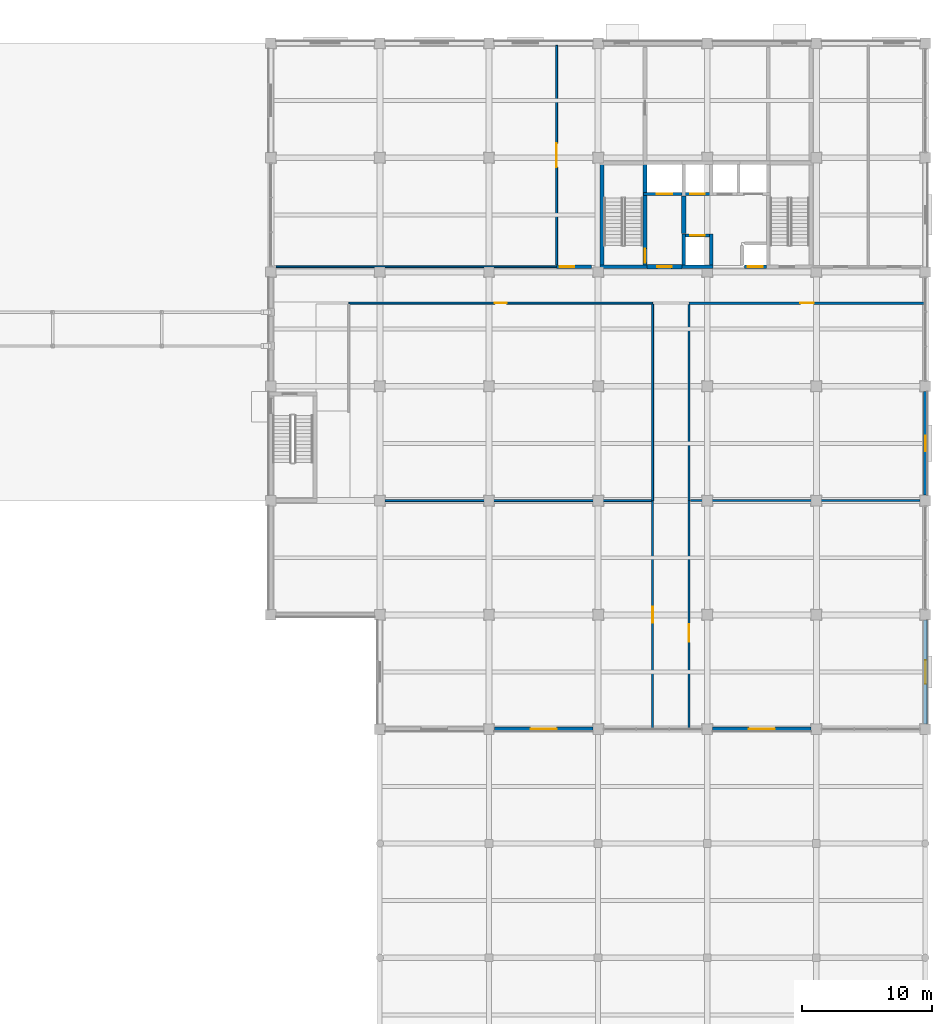
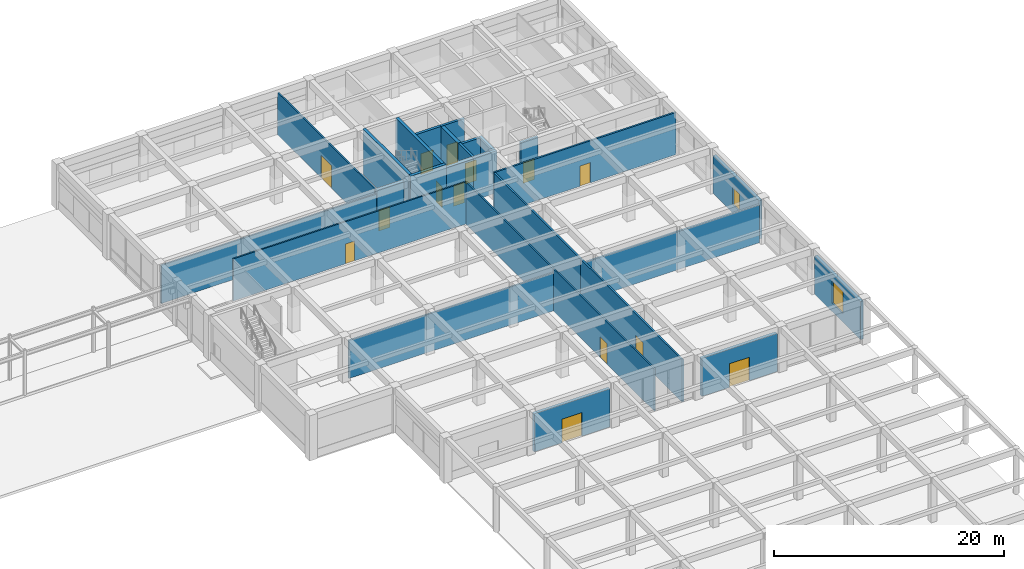
# One storey, part 38 of 58: 27 walls, 14 doors, 2 windows, 16 openings.
"""IFC4 building model written with IfcOpenShell, lengths in metres."""

from ifc_helpers import new_model, si_unit, direction, frame, frame_2d, origin, place, context, subcontext, project, spatial, rectangle, extrude, material, layer, layer_set, type_object, element, fill, save


model = new_model("IFC4")

# Units and contexts
model_context = context("Model", 3, precision=1e-05, world=origin(), true_north=direction((0.0, 1.0)))
body_context = subcontext(model_context, "Body", "Model", "MODEL_VIEW")
ifc_project = project(units=[si_unit("LENGTHUNIT", "METRE"), si_unit("AREAUNIT", "SQUARE_METRE"), si_unit("VOLUMEUNIT", "CUBIC_METRE"), si_unit("PLANEANGLEUNIT", "RADIAN"), si_unit("MASSUNIT", "GRAM", prefix="KILO")], contexts=[model_context])

# Site, building, storey
site_placement = place(None, origin())
site = spatial("IfcSite", under=ifc_project, at=site_placement, CompositionType="ELEMENT")
building_placement = place(site_placement, origin())
building = spatial("IfcBuilding", under=site, at=building_placement, Name="Kemercrest Conservatory and Botanical Centre", CompositionType="ELEMENT")
storey_placement = place(building_placement, origin())
storey = spatial("IfcBuildingStorey", under=building, at=storey_placement, Name="L00", CompositionType="ELEMENT", Elevation=0.0)

# Wall
ifc_material_1 = material(Name="Concrete C50/60", Category="concrete")
ifc_layer_1 = layer(ifc_material_1, 0.35009765625)
ifc_layer_set_1 = layer_set([ifc_layer_1], Name="Concrete C50/60")
wall_type_1 = type_object("IfcWallType", Name="CW-CORE", PredefinedType="SHEAR", material=ifc_layer_set_1)
wall_1_placement = place(storey_placement, frame((157.39990234375, 107.75, 0.0), z_axis=(0.0, 0.0, 1.0), x_axis=(0.0, 1.0, 0.0)))
element("IfcWall", 1, at=wall_1_placement, inside=storey, type_object=wall_type_1, Name="Firefighting lift lobby 2-hour separation shear wall", PredefinedType="SHEAR", context=body_context, shape_type="SweptSolid", body=[
    extrude(rectangle(XDim=2.89990234375, YDim=0.35009765625, at=frame_2d((1.449951171875, 0.0))), origin(), (0.0, 0.0, 1.0), 4.47998046875),
])

# Wall, opening, door
wall_2_placement = place(storey_placement, frame((154.550048828125, 105.199951171875, 0.0), z_axis=(0.0, 0.0, 1.0), x_axis=(1.0, 0.0, 0.0)))
wall_2 = element("IfcWall", 2, at=wall_2_placement, inside=storey, type_object=wall_type_1, Name="Firefighting lift lobby south shear wall", PredefinedType="SHEAR", context=body_context, shape_type="SweptSolid", body=[
    extrude(rectangle(XDim=2.699951171875, YDim=0.35009765625, at=frame_2d((1.35009765625, 0.0))), origin(), (0.0, 0.0, 1.0), 4.47998046875),
])
opening_1_placement = place(wall_2_placement, frame((0.800048828125, 0.0, 0.0)))
opening_1 = element("IfcOpeningElement", 3, at=opening_1_placement, cuts=wall_2, Name="Opening D069", PredefinedType="OPENING", context=body_context, shape_type="SweptSolid", body=[
    extrude(rectangle(XDim=1.10009765625, YDim=2.199951171875, at=frame_2d((0.550048828125, 1.10009765625))), frame((0.0, 0.18505859375, 0.0), z_axis=(0.0, -1.0, 0.0), x_axis=(1.0, 0.0, 0.0)), (0.0, 0.0, 1.0), 0.3701171875),
])
ifc_material_2 = material(Name="Powder-coated galvanized steel and fire-rated vision glass", Category="steel")
door_type_1 = type_object("IfcDoorType", Name="DT-FD90", OperationType="NOTDEFINED", PredefinedType="DOOR", material=ifc_material_2)
door_1_placement = place(opening_1_placement, origin())
door_1 = element("IfcDoor", 4, at=door_1_placement, inside=storey, type_object=door_type_1, Name="Firefighting lift lobby corridor fire door D069", OperationType="SINGLE_SWING_LEFT", OverallHeight=2.199951171875, OverallWidth=1.10009765625, PredefinedType="DOOR", context=body_context, shape_type="SweptSolid", body=[
    extrude(rectangle(XDim=1.10009765625, YDim=2.199951171875, at=frame_2d((0.550048828125, 1.10009765625))), frame((0.0, 0.02490234375, 0.0), z_axis=(0.0, -1.0, 0.0), x_axis=(1.0, 0.0, 0.0)), (0.0, 0.0, 1.0), 0.050048828125),
])
fill(opening_1, door_1)

# Walls
ifc_layer_2 = layer(ifc_material_1, 0.300048828125)
ifc_layer_set_2 = layer_set([ifc_layer_2], Name="Concrete C50/60")
wall_type_2 = type_object("IfcWallType", Name="CW-STAIR", PredefinedType="SHEAR", material=ifc_layer_set_2)
wall_3_placement = place(storey_placement, frame((150.949951171875, 105.199951171875, 0.0), z_axis=(0.0, 0.0, 1.0), x_axis=(1.0, 0.0, 0.0)))
element("IfcWall", 5, at=wall_3_placement, inside=storey, type_object=wall_type_2, Name="Stair core ST-V4A shear wall S", PredefinedType="SHEAR", context=body_context, shape_type="SweptSolid", body=[
    extrude(rectangle(XDim=3.60009765625, YDim=0.300048828125, at=frame_2d((1.800048828125, 0.0))), origin(), (0.0, 0.0, 1.0), 4.800048828125),
])
wall_4_placement = place(storey_placement, frame((151.10009765625, 105.050048828125, 0.0), z_axis=(0.0, 0.0, 1.0), x_axis=(0.0, 1.0, 0.0)))
element("IfcWall", 6, at=wall_4_placement, inside=storey, type_object=wall_type_2, Name="Stair core ST-V4A shear wall W", PredefinedType="SHEAR", context=body_context, shape_type="SweptSolid", body=[
    extrude(rectangle(XDim=8.300048828125, YDim=0.300048828125, at=frame_2d((4.14990234375, 0.0))), origin(), (0.0, 0.0, 1.0), 4.800048828125),
])

# Wall, opening, door
wall_5_placement = place(storey_placement, frame((154.39990234375, 105.050048828125, 0.0), z_axis=(0.0, 0.0, 1.0), x_axis=(0.0, 1.0, 0.0)))
wall_5 = element("IfcWall", 7, at=wall_5_placement, inside=storey, type_object=wall_type_2, Name="Stair core ST-V4A shear wall E", PredefinedType="SHEAR", context=body_context, shape_type="SweptSolid", body=[
    extrude(rectangle(XDim=8.300048828125, YDim=0.300048828125, at=frame_2d((4.14990234375, 0.0))), origin(), (0.0, 0.0, 1.0), 4.800048828125),
])
opening_2_placement = place(wall_5_placement, frame((0.449951171875, 0.0, 0.0)))
opening_2 = element("IfcOpeningElement", 8, at=opening_2_placement, cuts=wall_5, Name="Opening D026", PredefinedType="OPENING", context=body_context, shape_type="SweptSolid", body=[
    extrude(rectangle(XDim=1.10009765625, YDim=2.199951171875, at=frame_2d((0.550048828125, 1.10009765625))), frame((0.0, 0.16015625, 0.0), z_axis=(0.0, -1.0, 0.0), x_axis=(1.0, 0.0, 0.0)), (0.0, 0.0, 1.0), 0.320068359375),
])
door_2_placement = place(opening_2_placement, frame((1.10009765625, 0.0, 0.0), z_axis=(0.0, 0.0, 1.0), x_axis=(-1.0, 0.0, 0.0)))
door_2 = element("IfcDoor", 9, at=door_2_placement, inside=storey, type_object=door_type_1, Name="Exit stair ST-V4A fire door D026", OperationType="SINGLE_SWING_RIGHT", OverallHeight=2.199951171875, OverallWidth=1.10009765625, PredefinedType="DOOR", context=body_context, shape_type="SweptSolid", body=[
    extrude(rectangle(XDim=1.10009765625, YDim=2.199951171875, at=frame_2d((0.550048828125, 1.10009765625))), frame((0.0, 0.02490234375, 0.0), z_axis=(0.0, -1.0, 0.0), x_axis=(1.0, 0.0, 0.0)), (0.0, 0.0, 1.0), 0.050048828125),
])
fill(opening_2, door_2)

wall_6_placement = place(storey_placement, frame((147.60009765625, 105.199951171875, 0.0), z_axis=(0.0, 0.0, 1.0), x_axis=(1.0, 0.0, 0.0)))
wall_6 = element("IfcWall", 10, at=wall_6_placement, inside=storey, type_object=wall_type_2, Name="Protected exit passage A south fire wall", PredefinedType="SHEAR", context=body_context, shape_type="SweptSolid", body=[
    extrude(rectangle(XDim=2.699951171875, YDim=0.300048828125, at=frame_2d((1.35009765625, 0.0))), origin(), (0.0, 0.0, 1.0), 4.47998046875),
])
opening_3_placement = place(wall_6_placement, frame((0.25, 0.0, 0.0)))
opening_3 = element("IfcOpeningElement", 11, at=opening_3_placement, cuts=wall_6, Name="Opening D071", PredefinedType="OPENING", context=body_context, shape_type="SweptSolid", body=[
    extrude(rectangle(XDim=1.10009765625, YDim=2.199951171875, at=frame_2d((0.550048828125, 1.10009765625))), frame((0.0, 0.16015625, 0.0), z_axis=(0.0, -1.0, 0.0), x_axis=(1.0, 0.0, 0.0)), (0.0, 0.0, 1.0), 0.320068359375),
])
door_3_placement = place(opening_3_placement, origin())
door_3 = element("IfcDoor", 12, at=door_3_placement, inside=storey, type_object=door_type_1, Name="North Exit Passage A fire exit door D071", OperationType="SINGLE_SWING_RIGHT", OverallHeight=2.199951171875, OverallWidth=1.10009765625, PredefinedType="DOOR", context=body_context, shape_type="SweptSolid", body=[
    extrude(rectangle(XDim=1.10009765625, YDim=2.199951171875, at=frame_2d((0.550048828125, 1.10009765625))), frame((0.0, 0.02490234375, 0.0), z_axis=(0.0, -1.0, 0.0), x_axis=(1.0, 0.0, 0.0)), (0.0, 0.0, 1.0), 0.050048828125),
])
fill(opening_3, door_3)

ifc_material_3 = material(Name="Precast concrete C40/50", Category="concrete")
ifc_layer_3 = layer(ifc_material_3, 0.300048828125)
ifc_layer_set_3 = layer_set([ifc_layer_3], Name="Precast concrete C40/50")
wall_type_3 = type_object("IfcWallType", Name="W-EXT300", PredefinedType="SOLIDWALL", material=ifc_layer_set_3)
wall_7_placement = place(storey_placement, frame((142.81005859375, 69.60009765625, 0.0), z_axis=(0.0, 0.0, 1.0), x_axis=(1.0, 0.0, 0.0)))
wall_7 = element("IfcWall", 13, at=wall_7_placement, inside=storey, type_object=wall_type_3, Name="Exterior almasik wall W-EXT300 (WAL:L00:EXT-159)", PredefinedType="SOLIDWALL", context=body_context, shape_type="SweptSolid", body=[
    extrude(rectangle(XDim=7.579833984375, YDim=0.300048828125, at=frame_2d((3.7900390625, 0.0))), origin(), (0.0, 0.0, 1.0), 4.050048828125),
])
opening_4_placement = place(wall_7_placement, frame((2.7900390625, 0.0, 0.0)))
opening_4 = element("IfcOpeningElement", 14, at=opening_4_placement, cuts=wall_7, Name="Opening ED034", PredefinedType="OPENING", context=body_context, shape_type="SweptSolid", body=[
    extrude(rectangle(XDim=2.0, YDim=2.5, at=frame_2d((1.0, 1.25))), frame((0.0, 0.16015625, 0.0), z_axis=(0.0, -1.0, 0.0), x_axis=(1.0, 0.0, 0.0)), (0.0, 0.0, 1.0), 0.320068359375),
])
ifc_material_4 = material(Name="Thermally broken bronze-anodized aluminium and laminated safety glass", Category="aluminium")
door_type_2 = type_object("IfcDoorType", Name="DT-E01", OperationType="DOUBLE_DOOR_SINGLE_SWING", PredefinedType="DOOR", material=ifc_material_4)
door_4_placement = place(opening_4_placement, frame((2.0, 0.0, 0.0), z_axis=(0.0, 0.0, 1.0), x_axis=(-1.0, 0.0, 0.0)))
door_4 = element("IfcDoor", 15, at=door_4_placement, inside=storey, type_object=door_type_2, Name="Research and Herbarium Tower South Harbour Entrance", OperationType="DOUBLE_DOOR_SINGLE_SWING", OverallHeight=2.5, OverallWidth=2.0, PredefinedType="DOOR", context=body_context, shape_type="SweptSolid", body=[
    extrude(rectangle(XDim=2.0, YDim=2.5, at=frame_2d((1.0, 1.25))), frame((0.0, 0.02490234375, 0.0), z_axis=(0.0, -1.0, 0.0), x_axis=(1.0, 0.0, 0.0)), (0.0, 0.0, 1.0), 0.050048828125),
])
fill(opening_4, door_4)

wall_8_placement = place(storey_placement, frame((159.610107421875, 69.60009765625, 0.0), z_axis=(0.0, 0.0, 1.0), x_axis=(1.0, 0.0, 0.0)))
wall_8 = element("IfcWall", 16, at=wall_8_placement, inside=storey, type_object=wall_type_3, Name="Exterior almasik wall W-EXT300 (WAL:L00:EXT-160)", PredefinedType="SOLIDWALL", context=body_context, shape_type="SweptSolid", body=[
    extrude(rectangle(XDim=7.579833984375, YDim=0.300048828125, at=frame_2d((3.7900390625, 0.0))), origin(), (0.0, 0.0, 1.0), 4.050048828125),
])
opening_5_placement = place(wall_8_placement, frame((2.7900390625, 0.0, 0.0)))
opening_5 = element("IfcOpeningElement", 17, at=opening_5_placement, cuts=wall_8, Name="Opening ED035", PredefinedType="OPENING", context=body_context, shape_type="SweptSolid", body=[
    extrude(rectangle(XDim=2.0, YDim=2.5, at=frame_2d((1.0, 1.25))), frame((0.0, 0.16015625, 0.0), z_axis=(0.0, -1.0, 0.0), x_axis=(1.0, 0.0, 0.0)), (0.0, 0.0, 1.0), 0.320068359375),
])
door_5_placement = place(opening_5_placement, frame((2.0, 0.0, 0.0), z_axis=(0.0, 0.0, 1.0), x_axis=(-1.0, 0.0, 0.0)))
door_5 = element("IfcDoor", 18, at=door_5_placement, inside=storey, type_object=door_type_2, Name="Research and Herbarium Tower South Harbour Entrance", OperationType="DOUBLE_DOOR_SINGLE_SWING", OverallHeight=2.5, OverallWidth=2.0, PredefinedType="DOOR", context=body_context, shape_type="SweptSolid", body=[
    extrude(rectangle(XDim=2.0, YDim=2.5, at=frame_2d((1.0, 1.25))), frame((0.0, 0.02490234375, 0.0), z_axis=(0.0, -1.0, 0.0), x_axis=(1.0, 0.0, 0.0)), (0.0, 0.0, 1.0), 0.050048828125),
])
fill(opening_5, door_5)

# Wall, opening, window
wall_9_placement = place(storey_placement, frame((176.0, 70.010009765625, 0.0), z_axis=(0.0, 0.0, 1.0), x_axis=(0.0, 1.0, 0.0)))
wall_9 = element("IfcWall", 19, at=wall_9_placement, inside=storey, type_object=wall_type_3, Name="Exterior almasik wall W-EXT300 (WAL:L00:EXT-161)", PredefinedType="SOLIDWALL", context=body_context, shape_type="SweptSolid", body=[
    extrude(rectangle(XDim=7.97998046875, YDim=0.300048828125, at=frame_2d((3.989990234375, 0.0))), origin(), (0.0, 0.0, 1.0), 4.050048828125),
])
opening_6_placement = place(wall_9_placement, frame((3.070068359375, 0.0, 0.89990234375)))
opening_6 = element("IfcOpeningElement", 20, at=opening_6_placement, cuts=wall_9, Name="Opening WT-60", PredefinedType="OPENING", context=body_context, shape_type="SweptSolid", body=[
    extrude(rectangle(XDim=1.840087890625, YDim=2.340087890625, at=frame_2d((0.919921875, 1.169921875))), frame((0.0, 0.16015625, 0.0), z_axis=(0.0, -1.0, 0.0), x_axis=(1.0, 0.0, 0.0)), (0.0, 0.0, 1.0), 0.320068359375),
])
ifc_material_5 = material(Name="Thermally broken bronze-anodized aluminium and triple glazing", Category="aluminium")
window_type_1 = type_object("IfcWindowType", Name="WT-60", PartitioningType="SINGLE_PANEL", PredefinedType="WINDOW", material=ifc_material_5)
window_1_placement = place(opening_6_placement, origin())
window_1 = element("IfcWindow", 21, at=window_1_placement, inside=storey, type_object=window_type_1, Name="Exterior window WT-60 (WIN:L00:EXT-161)", OverallHeight=2.340087890625, OverallWidth=1.840087890625, PartitioningType="SINGLE_PANEL", PredefinedType="WINDOW", context=body_context, shape_type="SweptSolid", body=[
    extrude(rectangle(XDim=1.840087890625, YDim=2.340087890625, at=frame_2d((0.919921875, 1.169921875))), frame((0.0, 0.030029296875, 0.0), z_axis=(0.0, -1.0, 0.0), x_axis=(1.0, 0.0, 0.0)), (0.0, 0.0, 1.0), 0.06005859375),
])
fill(opening_6, window_1)

wall_10_placement = place(storey_placement, frame((176.0, 87.610107421875, 0.0), z_axis=(0.0, 0.0, 1.0), x_axis=(0.0, 1.0, 0.0)))
wall_10 = element("IfcWall", 22, at=wall_10_placement, inside=storey, type_object=wall_type_3, Name="Exterior almasik wall W-EXT300 (WAL:L00:EXT-162)", PredefinedType="SOLIDWALL", context=body_context, shape_type="SweptSolid", body=[
    extrude(rectangle(XDim=7.97998046875, YDim=0.300048828125, at=frame_2d((3.989990234375, 0.0))), origin(), (0.0, 0.0, 1.0), 4.050048828125),
])
opening_7_placement = place(wall_10_placement, frame((3.389892578125, 0.0, 0.89990234375)))
opening_7 = element("IfcOpeningElement", 23, at=opening_7_placement, cuts=wall_10, Name="Opening WT-01", PredefinedType="OPENING", context=body_context, shape_type="SweptSolid", body=[
    extrude(rectangle(XDim=1.199951171875, YDim=1.800048828125, at=frame_2d((0.60009765625, 0.89990234375))), frame((0.0, 0.16015625, 0.0), z_axis=(0.0, -1.0, 0.0), x_axis=(1.0, 0.0, 0.0)), (0.0, 0.0, 1.0), 0.320068359375),
])
window_type_2 = type_object("IfcWindowType", Name="WT-01", PartitioningType="SINGLE_PANEL", PredefinedType="WINDOW", material=ifc_material_5)
window_2_placement = place(opening_7_placement, origin())
window_2 = element("IfcWindow", 24, at=window_2_placement, inside=storey, type_object=window_type_2, Name="Exterior window WT-01 (WIN:L00:EXT-162)", OverallHeight=1.800048828125, OverallWidth=1.199951171875, PartitioningType="SINGLE_PANEL", PredefinedType="WINDOW", context=body_context, shape_type="SweptSolid", body=[
    extrude(rectangle(XDim=1.199951171875, YDim=1.800048828125, at=frame_2d((0.60009765625, 0.89990234375))), frame((0.0, 0.030029296875, 0.0), z_axis=(0.0, -1.0, 0.0), x_axis=(1.0, 0.0, 0.0)), (0.0, 0.0, 1.0), 0.06005859375),
])
fill(opening_7, window_2)

# Wall, opening, door
ifc_material_6 = material(Name="Steel-stud gypsum board partition", Category="steel")
ifc_layer_4 = layer(ifc_material_6, 0.14990234375)
ifc_layer_set_4 = layer_set([ifc_layer_4], Name="Steel-stud gypsum board partition")
wall_type_4 = type_object("IfcWallType", Name="W-PART150", PredefinedType="PARTITIONING", material=ifc_layer_set_4)
wall_11_placement = place(storey_placement, frame((147.60009765625, 105.35498046875, 0.0), z_axis=(0.0, 0.0, 1.0), x_axis=(0.0, 1.0, 0.0)))
wall_11 = element("IfcWall", 25, at=wall_11_placement, inside=storey, type_object=wall_type_4, Name="Interior partition W-PART150 #36", PredefinedType="PARTITIONING", context=body_context, shape_type="SweptSolid", body=[
    extrude(rectangle(XDim=16.89013671875, YDim=0.14990234375, at=frame_2d((8.445068359375, 0.0))), origin(), (0.0, 0.0, 1.0), 4.465087890625),
])
opening_8_placement = place(wall_11_placement, frame((7.52490234375, 0.0, 0.0)))
opening_8 = element("IfcOpeningElement", 26, at=opening_8_placement, cuts=wall_11, Name="Opening D131", PredefinedType="OPENING", context=body_context, shape_type="SweptSolid", body=[
    extrude(rectangle(XDim=1.840087890625, YDim=2.3798828125, at=frame_2d((0.919921875, 1.18994140625))), frame((0.0, 0.0849609375, 0.0), z_axis=(0.0, -1.0, 0.0), x_axis=(1.0, 0.0, 0.0)), (0.0, 0.0, 1.0), 0.169921875),
])
ifc_material_7 = material(Name="FSC solid-core white oak veneer and anodized aluminium frame", Category="aluminium")
door_type_3 = type_object("IfcDoorType", Name="DT-44", OperationType="DOUBLE_DOOR_SINGLE_SWING", PredefinedType="DOOR", material=ifc_material_7)
door_6_placement = place(opening_8_placement, origin())
door_6 = element("IfcDoor", 27, at=door_6_placement, inside=storey, type_object=door_type_3, Name="Taxonomy Curatorial Office door D131", OperationType="DOUBLE_DOOR_SINGLE_SWING", OverallHeight=2.3798828125, OverallWidth=1.840087890625, PredefinedType="DOOR", context=body_context, shape_type="SweptSolid", body=[
    extrude(rectangle(XDim=1.840087890625, YDim=2.3798828125, at=frame_2d((0.919921875, 1.18994140625))), frame((0.0, 0.02490234375, 0.0), z_axis=(0.0, -1.0, 0.0), x_axis=(1.0, 0.0, 0.0)), (0.0, 0.0, 1.0), 0.050048828125),
])
fill(opening_8, door_6)

wall_12_placement = place(storey_placement, frame((131.60009765625, 102.39990234375, 0.0), z_axis=(0.0, 0.0, 1.0), x_axis=(1.0, 0.0, 0.0)))
wall_12 = element("IfcWall", 28, at=wall_12_placement, inside=storey, type_object=wall_type_4, Name="Interior partition W-PART150 #37", PredefinedType="PARTITIONING", context=body_context, shape_type="SweptSolid", body=[
    extrude(rectangle(XDim=23.39990234375, YDim=0.14990234375, at=frame_2d((11.699951171875, 0.0))), origin(), (0.0, 0.0, 1.0), 4.465087890625),
])
opening_9_placement = place(wall_12_placement, frame((11.239990234375, 0.0, 0.0)))
opening_9 = element("IfcOpeningElement", 29, at=opening_9_placement, cuts=wall_12, Name="Opening D132", PredefinedType="OPENING", context=body_context, shape_type="SweptSolid", body=[
    extrude(rectangle(XDim=0.919921875, YDim=2.10009765625, at=frame_2d((0.4599609375, 1.050048828125))), frame((0.0, 0.0849609375, 0.0), z_axis=(0.0, -1.0, 0.0), x_axis=(1.0, 0.0, 0.0)), (0.0, 0.0, 1.0), 0.169921875),
])
door_type_4 = type_object("IfcDoorType", Name="DT-01", OperationType="NOTDEFINED", PredefinedType="DOOR", material=ifc_material_7)
door_7_placement = place(opening_9_placement, origin())
door_7 = element("IfcDoor", 30, at=door_7_placement, inside=storey, type_object=door_type_4, Name="Botanical Specimen Intake Studio door D132", OperationType="SINGLE_SWING_RIGHT", OverallHeight=2.10009765625, OverallWidth=0.919921875, PredefinedType="DOOR", context=body_context, shape_type="SweptSolid", body=[
    extrude(rectangle(XDim=0.919921875, YDim=2.10009765625, at=frame_2d((0.4599609375, 1.050048828125))), frame((0.0, 0.02490234375, 0.0), z_axis=(0.0, -1.0, 0.0), x_axis=(1.0, 0.0, 0.0)), (0.0, 0.0, 1.0), 0.050048828125),
])
fill(opening_9, door_7)

# Wall
wall_13_placement = place(storey_placement, frame((126.0, 105.199951171875, 0.0), z_axis=(0.0, 0.0, 1.0), x_axis=(1.0, 0.0, 0.0)))
element("IfcWall", 31, at=wall_13_placement, inside=storey, type_object=wall_type_4, Name="Interior partition W-PART150 #39", PredefinedType="PARTITIONING", context=body_context, shape_type="SweptSolid", body=[
    extrude(rectangle(XDim=21.60009765625, YDim=0.14990234375, at=frame_2d((10.800048828125, 0.0))), origin(), (0.0, 0.0, 1.0), 4.044921875),
])

# Wall, opening, door
wall_14_placement = place(storey_placement, frame((155.0, 69.60009765625, 0.0), z_axis=(0.0, 0.0, 1.0), x_axis=(0.0, 1.0, 0.0)))
wall_14 = element("IfcWall", 32, at=wall_14_placement, inside=storey, type_object=wall_type_4, Name="Interior partition W-PART150 #43", PredefinedType="PARTITIONING", context=body_context, shape_type="SweptSolid", body=[
    extrude(rectangle(XDim=17.599853515625, YDim=0.14990234375, at=frame_2d((8.7998046875, 0.0))), origin(), (0.0, 0.0, 1.0), 4.465087890625),
])
opening_10_placement = place(wall_14_placement, frame((8.18994140625, 0.0, 0.0)))
opening_10 = element("IfcOpeningElement", 33, at=opening_10_placement, cuts=wall_14, Name="Opening D136", PredefinedType="OPENING", context=body_context, shape_type="SweptSolid", body=[
    extrude(rectangle(XDim=1.219970703125, YDim=2.199951171875, at=frame_2d((0.60986328125, 1.10009765625))), frame((0.0, 0.0849609375, 0.0), z_axis=(0.0, -1.0, 0.0), x_axis=(1.0, 0.0, 0.0)), (0.0, 0.0, 1.0), 0.169921875),
])
door_type_5 = type_object("IfcDoorType", Name="DT-06", OperationType="NOTDEFINED", PredefinedType="DOOR", material=ifc_material_7)
door_8_placement = place(opening_10_placement, origin())
door_8 = element("IfcDoor", 34, at=door_8_placement, inside=storey, type_object=door_type_5, Name="Tower Entrance Hall door D136", OperationType="SINGLE_SWING_RIGHT", OverallHeight=2.199951171875, OverallWidth=1.219970703125, PredefinedType="DOOR", context=body_context, shape_type="SweptSolid", body=[
    extrude(rectangle(XDim=1.219970703125, YDim=2.199951171875, at=frame_2d((0.60986328125, 1.10009765625))), frame((0.0, 0.02490234375, 0.0), z_axis=(0.0, -1.0, 0.0), x_axis=(1.0, 0.0, 0.0)), (0.0, 0.0, 1.0), 0.050048828125),
])
fill(opening_10, door_8)

# Walls
wall_15_placement = place(storey_placement, frame((155.0, 87.199951171875, 0.0), z_axis=(0.0, 0.0, 1.0), x_axis=(0.0, 1.0, 0.0)))
element("IfcWall", 35, at=wall_15_placement, inside=storey, type_object=wall_type_4, Name="Interior partition W-PART150 #45", PredefinedType="PARTITIONING", context=body_context, shape_type="SweptSolid", body=[
    extrude(rectangle(XDim=15.1201171875, YDim=0.14990234375, at=frame_2d((7.56005859375, 0.0))), origin(), (0.0, 0.0, 1.0), 4.465087890625),
])
wall_16_placement = place(storey_placement, frame((134.39990234375, 87.199951171875, 0.0), z_axis=(0.0, 0.0, 1.0), x_axis=(1.0, 0.0, 0.0)))
element("IfcWall", 36, at=wall_16_placement, inside=storey, type_object=wall_type_4, Name="Interior partition W-PART150 #58", PredefinedType="PARTITIONING", context=body_context, shape_type="SweptSolid", body=[
    extrude(rectangle(XDim=20.52001953125, YDim=0.14990234375, at=frame_2d((10.260009765625, 0.0))), origin(), (0.0, 0.0, 1.0), 4.044921875),
])

# Wall, opening, door
ifc_material_8 = material(Name="Acoustic steel-stud gypsum board assembly", Category="steel")
ifc_layer_5 = layer(ifc_material_8, 0.179931640625)
ifc_layer_set_5 = layer_set([ifc_layer_5], Name="Acoustic steel-stud gypsum board assembly")
wall_type_5 = type_object("IfcWallType", Name="W-PART180", PredefinedType="PARTITIONING", material=ifc_layer_set_5)
wall_17_placement = place(storey_placement, frame((157.800048828125, 102.39990234375, 0.0), z_axis=(0.0, 0.0, 1.0), x_axis=(1.0, 0.0, 0.0)))
wall_17 = element("IfcWall", 37, at=wall_17_placement, inside=storey, type_object=wall_type_5, Name="Interior partition W-PART180 #38", PredefinedType="PARTITIONING", context=body_context, shape_type="SweptSolid", body=[
    extrude(rectangle(XDim=18.199951171875, YDim=0.179931640625, at=frame_2d((9.10009765625, 0.0))), origin(), (0.0, 0.0, 1.0), 4.465087890625),
])
opening_11_placement = place(wall_17_placement, frame((8.580078125, 0.0, 0.0)))
opening_11 = element("IfcOpeningElement", 38, at=opening_11_placement, cuts=wall_17, Name="Opening D133", PredefinedType="OPENING", context=body_context, shape_type="SweptSolid", body=[
    extrude(rectangle(XDim=1.0400390625, YDim=2.14990234375, at=frame_2d((0.52001953125, 1.074951171875))), frame((0.0, 0.10009765625, 0.0), z_axis=(0.0, -1.0, 0.0), x_axis=(1.0, 0.0, 0.0)), (0.0, 0.0, 1.0), 0.199951171875),
])
door_type_6 = type_object("IfcDoorType", Name="DT-03", OperationType="NOTDEFINED", PredefinedType="DOOR", material=ifc_material_7)
door_9_placement = place(opening_11_placement, origin())
door_9 = element("IfcDoor", 39, at=door_9_placement, inside=storey, type_object=door_type_6, Name="Wet Botanical Research Laboratory door D133", OperationType="SINGLE_SWING_LEFT", OverallHeight=2.14990234375, OverallWidth=1.0400390625, PredefinedType="DOOR", context=body_context, shape_type="SweptSolid", body=[
    extrude(rectangle(XDim=1.0400390625, YDim=2.14990234375, at=frame_2d((0.52001953125, 1.074951171875))), frame((0.0, 0.02490234375, 0.0), z_axis=(0.0, -1.0, 0.0), x_axis=(1.0, 0.0, 0.0)), (0.0, 0.0, 1.0), 0.050048828125),
])
fill(opening_11, door_9)

wall_18_placement = place(storey_placement, frame((157.800048828125, 69.60009765625, 0.0), z_axis=(0.0, 0.0, 1.0), x_axis=(0.0, 1.0, 0.0)))
wall_18 = element("IfcWall", 40, at=wall_18_placement, inside=storey, type_object=wall_type_5, Name="Interior partition W-PART180 #44", PredefinedType="PARTITIONING", context=body_context, shape_type="SweptSolid", body=[
    extrude(rectangle(XDim=17.599853515625, YDim=0.179931640625, at=frame_2d((8.7998046875, 0.0))), origin(), (0.0, 0.0, 1.0), 4.465087890625),
])
opening_12_placement = place(wall_18_placement, frame((6.739990234375, 0.0, 0.0)))
opening_12 = element("IfcOpeningElement", 41, at=opening_12_placement, cuts=wall_18, Name="Opening D137", PredefinedType="OPENING", context=body_context, shape_type="SweptSolid", body=[
    extrude(rectangle(XDim=1.320068359375, YDim=2.199951171875, at=frame_2d((0.66015625, 1.10009765625))), frame((0.0, 0.10009765625, 0.0), z_axis=(0.0, -1.0, 0.0), x_axis=(1.0, 0.0, 0.0)), (0.0, 0.0, 1.0), 0.199951171875),
])
door_type_7 = type_object("IfcDoorType", Name="DT-15", OperationType="SLIDING_TO_LEFT", PredefinedType="DOOR", material=ifc_material_7)
door_10_placement = place(opening_12_placement, origin())
door_10 = element("IfcDoor", 42, at=door_10_placement, inside=storey, type_object=door_type_7, Name="Herbarium Receiving and Quarantine Laboratory door D137", OperationType="SLIDING_TO_LEFT", OverallHeight=2.199951171875, OverallWidth=1.320068359375, PredefinedType="DOOR", context=body_context, shape_type="SweptSolid", body=[
    extrude(rectangle(XDim=1.320068359375, YDim=2.199951171875, at=frame_2d((0.66015625, 1.10009765625))), frame((0.0, 0.02490234375, 0.0), z_axis=(0.0, -1.0, 0.0), x_axis=(1.0, 0.0, 0.0)), (0.0, 0.0, 1.0), 0.050048828125),
])
fill(opening_12, door_10)

# Walls
wall_19_placement = place(storey_placement, frame((157.800048828125, 87.199951171875, 0.0), z_axis=(0.0, 0.0, 1.0), x_axis=(0.0, 1.0, 0.0)))
element("IfcWall", 43, at=wall_19_placement, inside=storey, type_object=wall_type_5, Name="Interior partition W-PART180 #46", PredefinedType="PARTITIONING", context=body_context, shape_type="SweptSolid", body=[
    extrude(rectangle(XDim=15.10498046875, YDim=0.179931640625, at=frame_2d((7.552490234375, 0.0))), origin(), (0.0, 0.0, 1.0), 4.465087890625),
])
wall_20_placement = place(storey_placement, frame((157.89501953125, 87.199951171875, 0.0), z_axis=(0.0, 0.0, 1.0), x_axis=(1.0, 0.0, 0.0)))
element("IfcWall", 44, at=wall_20_placement, inside=storey, type_object=wall_type_5, Name="Interior partition W-PART180 #59", PredefinedType="PARTITIONING", context=body_context, shape_type="SweptSolid", body=[
    extrude(rectangle(XDim=17.705078125, YDim=0.179931640625, at=frame_2d((8.8525390625, 0.0))), origin(), (0.0, 0.0, 1.0), 4.044921875),
])

# Wall, opening, door
ifc_material_9 = material(Name="Concrete C40/50", Category="concrete")
ifc_layer_6 = layer(ifc_material_9, 0.25)
ifc_layer_set_6 = layer_set([ifc_layer_6], Name="Concrete C40/50")
wall_type_6 = type_object("IfcWallType", Name="W-SHFT250", PredefinedType="SOLIDWALL", material=ifc_layer_set_6)
wall_21_placement = place(storey_placement, frame((154.27490234375, 110.800048828125, 0.0), z_axis=(0.0, 0.0, 1.0), x_axis=(1.0, 0.0, 0.0)))
wall_21 = element("IfcWall", 45, at=wall_21_placement, inside=storey, type_object=wall_type_6, Name="Elevator LF-FF1 shaft wall south", PredefinedType="SOLIDWALL", context=body_context, shape_type="SweptSolid", body=[
    extrude(rectangle(XDim=3.25, YDim=0.25, at=frame_2d((1.625, 0.0))), origin(), (0.0, 0.0, 1.0), 4.47998046875),
])
opening_13_placement = place(wall_21_placement, frame((1.02490234375, 0.0, 0.0)))
opening_13 = element("IfcOpeningElement", 46, at=opening_13_placement, cuts=wall_21, Name="Opening LD-002", PredefinedType="OPENING", context=body_context, shape_type="SweptSolid", body=[
    extrude(rectangle(XDim=1.199951171875, YDim=2.199951171875, at=frame_2d((0.60009765625, 1.10009765625))), frame((0.0, 0.135009765625, 0.0), z_axis=(0.0, -1.0, 0.0), x_axis=(1.0, 0.0, 0.0)), (0.0, 0.0, 1.0), 0.27001953125),
])
door_type_8 = type_object("IfcDoorType", Name="DT-LD02", OperationType="SLIDING_TO_LEFT", PredefinedType="DOOR", material=ifc_material_2)
door_11_placement = place(opening_13_placement, origin())
door_11 = element("IfcDoor", 47, at=door_11_placement, inside=storey, type_object=door_type_8, Name="Elevator LF-FF1 sliding landing door LD-002", OperationType="SLIDING_TO_LEFT", OverallHeight=2.199951171875, OverallWidth=1.199951171875, PredefinedType="DOOR", context=body_context, shape_type="SweptSolid", body=[
    extrude(rectangle(XDim=1.199951171875, YDim=2.199951171875, at=frame_2d((0.60009765625, 1.10009765625))), frame((0.0, 0.02490234375, 0.0), z_axis=(0.0, -1.0, 0.0), x_axis=(1.0, 0.0, 0.0)), (0.0, 0.0, 1.0), 0.050048828125),
])
fill(opening_13, door_11)

wall_22_placement = place(storey_placement, frame((157.27490234375, 110.800048828125, 0.0), z_axis=(0.0, 0.0, 1.0), x_axis=(1.0, 0.0, 0.0)))
wall_22 = element("IfcWall", 48, at=wall_22_placement, inside=storey, type_object=wall_type_6, Name="Elevator LF-P1 shaft wall south", PredefinedType="SOLIDWALL", context=body_context, shape_type="SweptSolid", body=[
    extrude(rectangle(XDim=2.35009765625, YDim=0.25, at=frame_2d((1.175048828125, 0.0))), origin(), (0.0, 0.0, 1.0), 4.47998046875),
])
opening_14_placement = place(wall_22_placement, frame((0.625, 0.0, 0.0)))
opening_14 = element("IfcOpeningElement", 49, at=opening_14_placement, cuts=wall_22, Name="Opening LD-021", PredefinedType="OPENING", context=body_context, shape_type="SweptSolid", body=[
    extrude(rectangle(XDim=1.10009765625, YDim=2.199951171875, at=frame_2d((0.550048828125, 1.10009765625))), frame((0.0, 0.135009765625, 0.0), z_axis=(0.0, -1.0, 0.0), x_axis=(1.0, 0.0, 0.0)), (0.0, 0.0, 1.0), 0.27001953125),
])
door_type_9 = type_object("IfcDoorType", Name="DT-LD01", OperationType="SLIDING_TO_LEFT", PredefinedType="DOOR", material=ifc_material_2)
door_12_placement = place(opening_14_placement, origin())
door_12 = element("IfcDoor", 50, at=door_12_placement, inside=storey, type_object=door_type_9, Name="Elevator LF-P1 sliding landing door LD-021", OperationType="SLIDING_TO_LEFT", OverallHeight=2.199951171875, OverallWidth=1.10009765625, PredefinedType="DOOR", context=body_context, shape_type="SweptSolid", body=[
    extrude(rectangle(XDim=1.10009765625, YDim=2.199951171875, at=frame_2d((0.550048828125, 1.10009765625))), frame((0.0, 0.02490234375, 0.0), z_axis=(0.0, -1.0, 0.0), x_axis=(1.0, 0.0, 0.0)), (0.0, 0.0, 1.0), 0.050048828125),
])
fill(opening_14, door_12)

# Wall
wall_23_placement = place(storey_placement, frame((157.27490234375, 105.199951171875, 0.0), z_axis=(0.0, 0.0, 1.0), x_axis=(1.0, 0.0, 0.0)))
element("IfcWall", 51, at=wall_23_placement, inside=storey, type_object=wall_type_6, Name="Elevator LF-P3 shaft wall south", PredefinedType="SOLIDWALL", context=body_context, shape_type="SweptSolid", body=[
    extrude(rectangle(XDim=2.35009765625, YDim=0.25, at=frame_2d((1.175048828125, 0.0))), origin(), (0.0, 0.0, 1.0), 4.47998046875),
])

# Wall, opening, door
wall_24_placement = place(storey_placement, frame((157.27490234375, 107.60009765625, 0.0), z_axis=(0.0, 0.0, 1.0), x_axis=(1.0, 0.0, 0.0)))
wall_24 = element("IfcWall", 52, at=wall_24_placement, inside=storey, type_object=wall_type_6, Name="Elevator LF-P3 shaft wall north", PredefinedType="SOLIDWALL", context=body_context, shape_type="SweptSolid", body=[
    extrude(rectangle(XDim=2.35009765625, YDim=0.25, at=frame_2d((1.175048828125, 0.0))), origin(), (0.0, 0.0, 1.0), 4.47998046875),
])
opening_15_placement = place(wall_24_placement, frame((0.625, 0.0, 0.0)))
opening_15 = element("IfcOpeningElement", 53, at=opening_15_placement, cuts=wall_24, Name="Opening LD-058", PredefinedType="OPENING", context=body_context, shape_type="SweptSolid", body=[
    extrude(rectangle(XDim=1.10009765625, YDim=2.199951171875, at=frame_2d((0.550048828125, 1.10009765625))), frame((0.0, 0.135009765625, 0.0), z_axis=(0.0, -1.0, 0.0), x_axis=(1.0, 0.0, 0.0)), (0.0, 0.0, 1.0), 0.27001953125),
])
door_13_placement = place(opening_15_placement, origin())
door_13 = element("IfcDoor", 54, at=door_13_placement, inside=storey, type_object=door_type_9, Name="Elevator LF-P3 sliding landing door LD-058", OperationType="SLIDING_TO_LEFT", OverallHeight=2.199951171875, OverallWidth=1.10009765625, PredefinedType="DOOR", context=body_context, shape_type="SweptSolid", body=[
    extrude(rectangle(XDim=1.10009765625, YDim=2.199951171875, at=frame_2d((0.550048828125, 1.10009765625))), frame((0.0, 0.02490234375, 0.0), z_axis=(0.0, -1.0, 0.0), x_axis=(1.0, 0.0, 0.0)), (0.0, 0.0, 1.0), 0.050048828125),
])
fill(opening_15, door_13)

# Walls
for number, where, z_axis, x_axis, name in (
    (55, (157.39990234375, 105.074951171875, 0.0), (0.0, 0.0, 1.0), (0.0, 1.0, 0.0), "Elevator LF-P3 shaft wall west"),
    (56, (159.5, 105.074951171875, 0.0), (0.0, 0.0, 1.0), (0.0, 1.0, 0.0), "Elevator LF-P3 shaft wall east"),
):
    element("IfcWall", number, at=place(storey_placement, frame(where, z_axis=z_axis, x_axis=x_axis)), inside=storey, type_object=wall_type_6, Name=name, PredefinedType="SOLIDWALL", context=body_context, shape_type="SweptSolid", body=[
        extrude(rectangle(XDim=2.650146484375, YDim=0.25, at=frame_2d((1.3251953125, 0.0))), origin(), (0.0, 0.0, 1.0), 4.47998046875),
    ])

# Wall, opening, door
wall_25_placement = place(storey_placement, frame((162.050048828125, 105.199951171875, 0.0), z_axis=(0.0, 0.0, 1.0), x_axis=(1.0, 0.0, 0.0)))
wall_25 = element("IfcWall", 57, at=wall_25_placement, inside=storey, type_object=wall_type_6, Name="Core service riser shaft wall S", PredefinedType="SOLIDWALL", context=body_context, shape_type="SweptSolid", body=[
    extrude(rectangle(XDim=1.699951171875, YDim=0.25, at=frame_2d((0.85009765625, 0.0))), origin(), (0.0, 0.0, 1.0), 4.47998046875),
])
opening_16_placement = place(wall_25_placement, frame((0.27001953125, 0.0, 0.0)))
opening_16 = element("IfcOpeningElement", 58, at=opening_16_placement, cuts=wall_25, Name="Opening D070", PredefinedType="OPENING", context=body_context, shape_type="SweptSolid", body=[
    extrude(rectangle(XDim=1.14990234375, YDim=2.199951171875, at=frame_2d((0.574951171875, 1.10009765625))), frame((0.0, 0.135009765625, 0.0), z_axis=(0.0, -1.0, 0.0), x_axis=(1.0, 0.0, 0.0)), (0.0, 0.0, 1.0), 0.27001953125),
])
door_type_10 = type_object("IfcDoorType", Name="DT-FD60", OperationType="NOTDEFINED", PredefinedType="DOOR", material=ifc_material_2)
door_14_placement = place(opening_16_placement, origin())
door_14 = element("IfcDoor", 59, at=door_14_placement, inside=storey, type_object=door_type_10, Name="Service riser access fire door D070", OperationType="SINGLE_SWING_RIGHT", OverallHeight=2.199951171875, OverallWidth=1.14990234375, PredefinedType="DOOR", context=body_context, shape_type="SweptSolid", body=[
    extrude(rectangle(XDim=1.14990234375, YDim=2.199951171875, at=frame_2d((0.574951171875, 1.10009765625))), frame((0.0, 0.02490234375, 0.0), z_axis=(0.0, -1.0, 0.0), x_axis=(1.0, 0.0, 0.0)), (0.0, 0.0, 1.0), 0.050048828125),
])
fill(opening_16, door_14)

save(model, "model.ifc")
